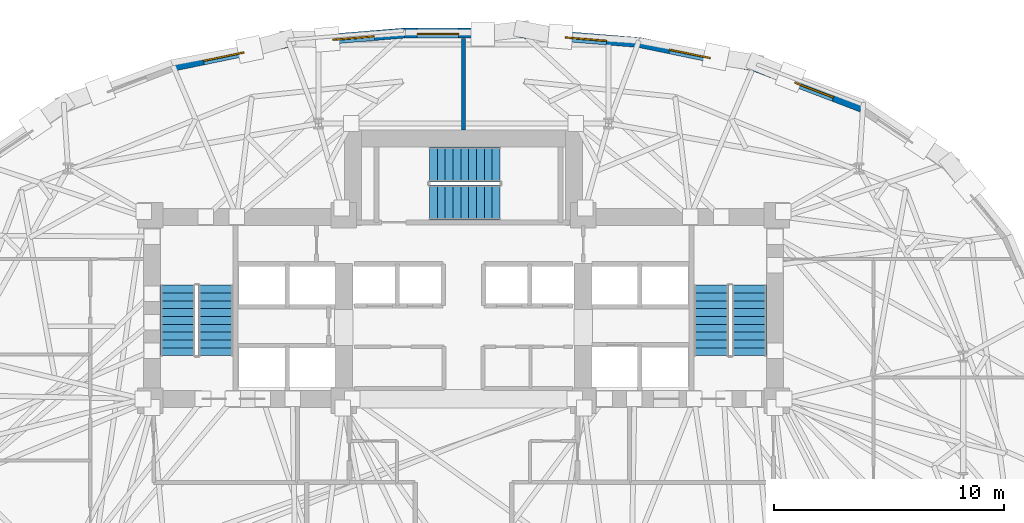
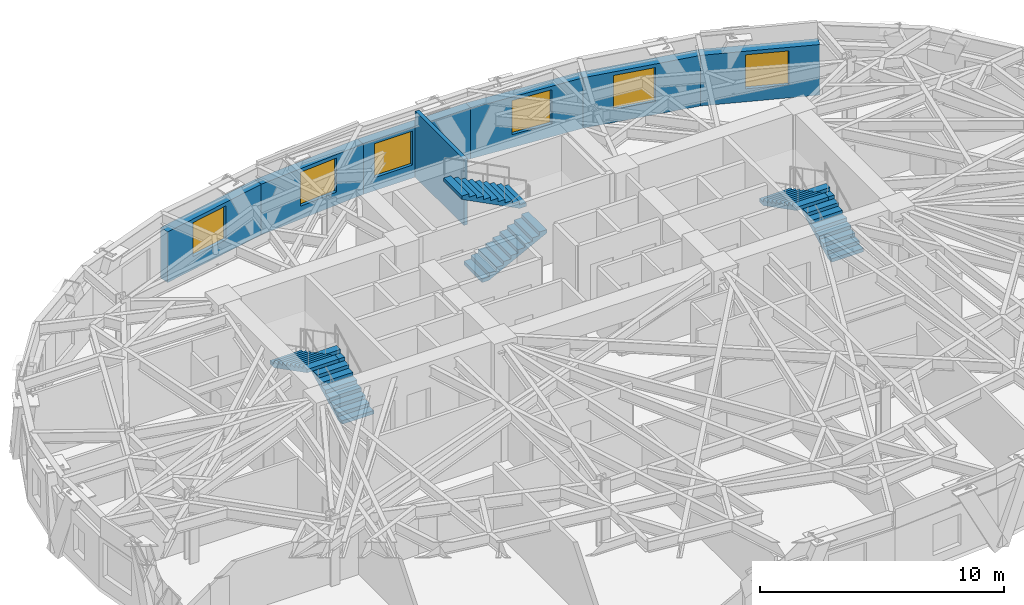
# One storey, part 10 of 14: 7 walls, 6 stair flights, 6 windows, 6 openings, 3 elements without a shape of their own.
"""IFC4 building model written with IfcOpenShell, lengths in metres."""

from ifc_helpers import new_model, si_unit, direction, frame, frame_2d, origin, place, context, subcontext, project, spatial, polyline, rectangle, outline, extrude, material, layer, layer_set, type_object, element, fill, aggregate, save


model = new_model("IFC4")

# Units and contexts
model_context = context("Model", 3, precision=1e-05, world=origin(), true_north=direction((0.0, 1.0)))
body_context = subcontext(model_context, "Body", "Model", "MODEL_VIEW")
ifc_project = project(units=[si_unit("LENGTHUNIT", "METRE"), si_unit("AREAUNIT", "SQUARE_METRE"), si_unit("VOLUMEUNIT", "CUBIC_METRE"), si_unit("PLANEANGLEUNIT", "RADIAN"), si_unit("MASSUNIT", "GRAM", prefix="KILO")], contexts=[model_context])

# Site, building, storey
site_placement = place(None, origin())
site = spatial("IfcSite", under=ifc_project, at=site_placement, CompositionType="ELEMENT")
building_placement = place(site_placement, origin())
building = spatial("IfcBuilding", under=site, at=building_placement, Name="Keldmark Tower", CompositionType="ELEMENT")
storey_placement = place(building_placement, frame((0.0, 0.0, 124.60009765625)))
storey = spatial("IfcBuildingStorey", under=building, at=storey_placement, Name="L33", CompositionType="ELEMENT", Elevation=124.60009765625)

# Wall
ifc_material_1 = material(Name="STC-58 Insulated Tenant Demising Gypsum Partition", Category="gypsum")
ifc_layer_1 = layer(ifc_material_1, 0.175048828125)
ifc_layer_set_1 = layer_set([ifc_layer_1], Name="STC-58 Insulated Tenant Demising Gypsum Partition")
wall_type_1 = type_object("IfcWallType", Name="Demising Suite Partition 175 mm", PredefinedType="PARTITIONING", material=ifc_layer_set_1)
wall_1_placement = place(storey_placement, frame((0.0, 13.14990234375, 0.0), z_axis=(0.0, 0.0, 1.0), x_axis=(0.0, 1.0, 0.0)))
element("IfcWall", 1, at=wall_1_placement, inside=storey, type_object=wall_type_1, Name="L33 Demising Suite Partition 175 mm N-MID-DIV", PredefinedType="PARTITIONING", context=body_context, shape_type="SweptSolid", body=[
    extrude(rectangle(XDim=3.979248046875, YDim=0.175048828125, at=frame_2d((1.98974609375, 0.0))), origin(), (0.0, 0.0, 1.0), 3.309814453125),
])

# Wall, opening, window
ifc_material_2 = material(Name="Ironspot Manganese Brick and Kasota Buff Limestone Spandrel Assembly", Category="masonry")
ifc_layer_2 = layer(ifc_material_2, 0.43994140625)
ifc_layer_set_2 = layer_set([ifc_layer_2], Name="Ironspot Manganese Brick and Kasota Buff Limestone Spandrel Assembly")
wall_type_2 = type_object("IfcWallType", Name="Tower Brick Pier and Spandrel Wall 440 mm", PredefinedType="STANDARD", material=ifc_layer_set_2)
wall_2_placement = place(storey_placement, frame((12.6318359375, 15.917236328125, 0.0), z_axis=(0.0, 0.0, 1.0), x_axis=(0.933853964101, -0.357654545243, 0.0)))
wall_2 = element("IfcWall", 2, at=wall_2_placement, inside=storey, type_object=wall_type_2, Name="L33 Exterior Brick and Spandrel Wall 05", PredefinedType="STANDARD", context=body_context, shape_type="SweptSolid", body=[
    extrude(rectangle(XDim=4.97900390625, YDim=0.43994140625, at=frame_2d((2.489501953125, 0.0))), origin(), (0.0, 0.0, 1.0), 2.52783203125),
])
opening_1_placement = place(wall_2_placement, frame((1.88720703125, 0.0, 0.64990234375)))
opening_1 = element("IfcOpeningElement", 3, at=opening_1_placement, cuts=wall_2, Name="Opening W-02", PredefinedType="OPENING", context=body_context, shape_type="SweptSolid", body=[
    extrude(rectangle(XDim=1.800048828125, YDim=1.699951171875, at=frame_2d((0.89990234375, 0.85009765625))), frame((0.0, 0.22998046875, 0.0), z_axis=(0.0, -1.0, 0.0), x_axis=(1.0, 0.0, 0.0)), (0.0, 0.0, 1.0), 0.4599609375),
])
ifc_material_3 = material(Name="Thermally Broken Anodized Aluminum and Triple Low-E Argon Glazing", Category="aluminium")
window_type = type_object("IfcWindowType", Name="Office Deep-Set Triple Window 1800x1700", PartitioningType="TRIPLE_PANEL_VERTICAL", PredefinedType="WINDOW", material=ifc_material_3)
window_1_placement = place(opening_1_placement, origin())
window_1 = element("IfcWindow", 4, at=window_1_placement, inside=storey, type_object=window_type, Name="L33 Deep-Set Window 05", OverallHeight=1.699951171875, OverallWidth=1.800048828125, PartitioningType="SINGLE_PANEL", PredefinedType="WINDOW", context=body_context, shape_type="SweptSolid", body=[
    extrude(rectangle(XDim=1.800048828125, YDim=1.699951171875, at=frame_2d((0.89990234375, 0.85009765625))), frame((0.0, -0.010009765625, 0.0), z_axis=(0.0, -1.0, 0.0), x_axis=(1.0, 0.0, 0.0)), (0.0, 0.0, 1.0), 0.06005859375),
])
fill(opening_1, window_1)

wall_3_placement = place(storey_placement, frame((7.634033203125, 16.9462890625, 0.0), z_axis=(0.0, 0.0, 1.0), x_axis=(0.979339014215, -0.202225357552, 0.0)))
wall_3 = element("IfcWall", 5, at=wall_3_placement, inside=storey, type_object=wall_type_2, Name="L33 Exterior Brick and Spandrel Wall 06", PredefinedType="STANDARD", context=body_context, shape_type="SweptSolid", body=[
    extrude(rectangle(XDim=5.13818359375, YDim=0.43994140625, at=frame_2d((2.569091796875, 0.0))), origin(), (0.0, 0.0, 1.0), 2.52783203125),
])
opening_2_placement = place(wall_3_placement, frame((1.345458984375, 0.0, 0.64990234375)))
opening_2 = element("IfcOpeningElement", 6, at=opening_2_placement, cuts=wall_3, Name="Opening W-02", PredefinedType="OPENING", context=body_context, shape_type="SweptSolid", body=[
    extrude(rectangle(XDim=1.800048828125, YDim=1.699951171875, at=frame_2d((0.89990234375, 0.85009765625))), frame((0.0, 0.22998046875, 0.0), z_axis=(0.0, -1.0, 0.0), x_axis=(1.0, 0.0, 0.0)), (0.0, 0.0, 1.0), 0.4599609375),
])
window_2_placement = place(opening_2_placement, origin())
window_2 = element("IfcWindow", 7, at=window_2_placement, inside=storey, type_object=window_type, Name="L33 Deep-Set Window 06", OverallHeight=1.699951171875, OverallWidth=1.800048828125, PartitioningType="SINGLE_PANEL", PredefinedType="WINDOW", context=body_context, shape_type="SweptSolid", body=[
    extrude(rectangle(XDim=1.800048828125, YDim=1.699951171875, at=frame_2d((0.89990234375, 0.85009765625))), frame((0.0, -0.010009765625, 0.0), z_axis=(0.0, -1.0, 0.0), x_axis=(1.0, 0.0, 0.0)), (0.0, 0.0, 1.0), 0.06005859375),
])
fill(opening_2, window_2)

wall_4_placement = place(storey_placement, frame((2.53564453125, 17.35791015625, 0.0), z_axis=(0.0, 0.0, 1.0), x_axis=(0.996733078328, -0.080766147401, 0.0)))
wall_4 = element("IfcWall", 8, at=wall_4_placement, inside=storey, type_object=wall_type_2, Name="L33 Exterior Brick and Spandrel Wall 07", PredefinedType="STANDARD", context=body_context, shape_type="SweptSolid", body=[
    extrude(rectangle(XDim=5.141845703125, YDim=0.43994140625, at=frame_2d((2.57080078125, 0.0))), origin(), (0.0, 0.0, 1.0), 2.52783203125),
])
opening_3_placement = place(wall_4_placement, frame((1.895263671875, 0.0, 0.64990234375)))
opening_3 = element("IfcOpeningElement", 9, at=opening_3_placement, cuts=wall_4, Name="Opening W-02", PredefinedType="OPENING", context=body_context, shape_type="SweptSolid", body=[
    extrude(rectangle(XDim=1.800048828125, YDim=1.699951171875, at=frame_2d((0.89990234375, 0.85009765625))), frame((0.0, 0.22998046875, 0.0), z_axis=(0.0, -1.0, 0.0), x_axis=(1.0, 0.0, 0.0)), (0.0, 0.0, 1.0), 0.4599609375),
])
window_3_placement = place(opening_3_placement, origin())
window_3 = element("IfcWindow", 10, at=window_3_placement, inside=storey, type_object=window_type, Name="L33 Deep-Set Window 07", OverallHeight=1.699951171875, OverallWidth=1.800048828125, PartitioningType="SINGLE_PANEL", PredefinedType="WINDOW", context=body_context, shape_type="SweptSolid", body=[
    extrude(rectangle(XDim=1.800048828125, YDim=1.699951171875, at=frame_2d((0.89990234375, 0.85009765625))), frame((0.0, -0.010009765625, 0.0), z_axis=(0.0, -1.0, 0.0), x_axis=(1.0, 0.0, 0.0)), (0.0, 0.0, 1.0), 0.06005859375),
])
fill(opening_3, window_3)

wall_5_placement = place(storey_placement, frame((-2.553466796875, 17.357177734375, 0.0), z_axis=(0.0, 0.0, 1.0), x_axis=(1.0, 0.0, 0.0)))
wall_5 = element("IfcWall", 11, at=wall_5_placement, inside=storey, type_object=wall_type_2, Name="L33 Exterior Brick and Spandrel Wall 08", PredefinedType="STANDARD", context=body_context, shape_type="SweptSolid", body=[
    extrude(rectangle(XDim=5.10693359375, YDim=0.43994140625, at=frame_2d((2.553466796875, 0.0))), origin(), (0.0, 0.0, 1.0), 2.52783203125),
])
opening_4_placement = place(wall_5_placement, frame((0.544921875, 0.0, 0.64990234375)))
opening_4 = element("IfcOpeningElement", 12, at=opening_4_placement, cuts=wall_5, Name="Opening W-02", PredefinedType="OPENING", context=body_context, shape_type="SweptSolid", body=[
    extrude(rectangle(XDim=1.800048828125, YDim=1.699951171875, at=frame_2d((0.89990234375, 0.85009765625))), frame((0.0, 0.22998046875, 0.0), z_axis=(0.0, -1.0, 0.0), x_axis=(1.0, 0.0, 0.0)), (0.0, 0.0, 1.0), 0.4599609375),
])
window_4_placement = place(opening_4_placement, origin())
window_4 = element("IfcWindow", 13, at=window_4_placement, inside=storey, type_object=window_type, Name="L33 Deep-Set Window 08", OverallHeight=1.699951171875, OverallWidth=1.800048828125, PartitioningType="SINGLE_PANEL", PredefinedType="WINDOW", context=body_context, shape_type="SweptSolid", body=[
    extrude(rectangle(XDim=1.800048828125, YDim=1.699951171875, at=frame_2d((0.89990234375, 0.85009765625))), frame((0.0, -0.010009765625, 0.0), z_axis=(0.0, -1.0, 0.0), x_axis=(1.0, 0.0, 0.0)), (0.0, 0.0, 1.0), 0.06005859375),
])
fill(opening_4, window_4)

wall_6_placement = place(storey_placement, frame((-7.66064453125, 16.942626953125, 0.0), z_axis=(0.0, 0.0, 1.0), x_axis=(0.996733078328, 0.080766147401, 0.0)))
wall_6 = element("IfcWall", 14, at=wall_6_placement, inside=storey, type_object=wall_type_2, Name="L33 Exterior Brick and Spandrel Wall 09", PredefinedType="STANDARD", context=body_context, shape_type="SweptSolid", body=[
    extrude(rectangle(XDim=5.141845703125, YDim=0.43994140625, at=frame_2d((2.57080078125, 0.0))), origin(), (0.0, 0.0, 1.0), 2.52783203125),
])
opening_5_placement = place(wall_6_placement, frame((1.9951171875, 0.0, 0.64990234375)))
opening_5 = element("IfcOpeningElement", 15, at=opening_5_placement, cuts=wall_6, Name="Opening W-02", PredefinedType="OPENING", context=body_context, shape_type="SweptSolid", body=[
    extrude(rectangle(XDim=1.800048828125, YDim=1.699951171875, at=frame_2d((0.89990234375, 0.85009765625))), frame((0.0, 0.22998046875, 0.0), z_axis=(0.0, -1.0, 0.0), x_axis=(1.0, 0.0, 0.0)), (0.0, 0.0, 1.0), 0.4599609375),
])
window_5_placement = place(opening_5_placement, origin())
window_5 = element("IfcWindow", 16, at=window_5_placement, inside=storey, type_object=window_type, Name="L33 Deep-Set Window 09", OverallHeight=1.699951171875, OverallWidth=1.800048828125, PartitioningType="SINGLE_PANEL", PredefinedType="WINDOW", context=body_context, shape_type="SweptSolid", body=[
    extrude(rectangle(XDim=1.800048828125, YDim=1.699951171875, at=frame_2d((0.89990234375, 0.85009765625))), frame((0.0, -0.010009765625, 0.0), z_axis=(0.0, -1.0, 0.0), x_axis=(1.0, 0.0, 0.0)), (0.0, 0.0, 1.0), 0.06005859375),
])
fill(opening_5, window_5)

wall_7_placement = place(storey_placement, frame((-12.666015625, 15.9072265625, 0.0), z_axis=(0.0, 0.0, 1.0), x_axis=(0.979339014215, 0.202225357552, 0.0)))
wall_7 = element("IfcWall", 17, at=wall_7_placement, inside=storey, type_object=wall_type_2, Name="L33 Exterior Brick and Spandrel Wall 10", PredefinedType="STANDARD", context=body_context, shape_type="SweptSolid", body=[
    extrude(rectangle(XDim=5.13818359375, YDim=0.43994140625, at=frame_2d((2.569091796875, 0.0))), origin(), (0.0, 0.0, 1.0), 2.52783203125),
])
opening_6_placement = place(wall_7_placement, frame((1.395263671875, 0.0, 0.64990234375)))
opening_6 = element("IfcOpeningElement", 18, at=opening_6_placement, cuts=wall_7, Name="Opening W-02", PredefinedType="OPENING", context=body_context, shape_type="SweptSolid", body=[
    extrude(rectangle(XDim=1.800048828125, YDim=1.699951171875, at=frame_2d((0.89990234375, 0.85009765625))), frame((0.0, 0.22998046875, 0.0), z_axis=(0.0, -1.0, 0.0), x_axis=(1.0, 0.0, 0.0)), (0.0, 0.0, 1.0), 0.4599609375),
])
window_6_placement = place(opening_6_placement, origin())
window_6 = element("IfcWindow", 19, at=window_6_placement, inside=storey, type_object=window_type, Name="L33 Deep-Set Window 10", OverallHeight=1.699951171875, OverallWidth=1.800048828125, PartitioningType="SINGLE_PANEL", PredefinedType="WINDOW", context=body_context, shape_type="SweptSolid", body=[
    extrude(rectangle(XDim=1.800048828125, YDim=1.699951171875, at=frame_2d((0.89990234375, 0.85009765625))), frame((0.0, -0.010009765625, 0.0), z_axis=(0.0, -1.0, 0.0), x_axis=(1.0, 0.0, 0.0)), (0.0, 0.0, 1.0), 0.06005859375),
])
fill(opening_6, window_6)

# Stair, stair flights
ifc_material_4 = material(Name="Concrete C40/50", Category="concrete")
stair_type = type_object("IfcStairType", Name="Precast Concrete Core Exit Stair", PredefinedType="HALF_TURN_STAIR", material=ifc_material_4)
stair_1_placement = place(storey_placement, origin())
stair_1 = element("IfcStair", 20, at=stair_1_placement, inside=storey, type_object=stair_type, Name="L33 Exit Stair ST1", PredefinedType="HALF_TURN_STAIR")
ifc_material_5 = material(Name="Concrete C40/50", Category="concrete")
stair_flight_type = type_object("IfcStairFlightType", Name="Precast Concrete Stair Flight 1500 mm", PredefinedType="STRAIGHT", material=ifc_material_5)
stair_flight_1_placement = place(storey_placement, frame((-10.75, 3.35009765625, 0.0), z_axis=(0.0, 0.0, 1.0), x_axis=(0.0, 1.0, 0.0)))
stair_flight_1 = element("IfcStairFlight", 21, at=stair_flight_1_placement, type_object=stair_flight_type, Name="ST1 flight 1", NumberOfRisers=10, NumberOfTreads=9, PredefinedType="STRAIGHT", RiserHeight=0.175, TreadLength=0.34, context=body_context, shape_type="SweptSolid", body=[
    extrude(outline(polyline([(0.0, 0.0), (0.0, 0.175048828125), (0.340087890625, 0.175048828125), (0.340087890625, 0.35009765625), (0.679931640625, 0.35009765625), (0.679931640625, 0.52490234375), (1.02001953125, 0.52490234375), (1.02001953125, 0.699951171875), (1.360107421875, 0.699951171875), (1.360107421875, 0.875), (1.699951171875, 0.875), (1.699951171875, 1.050048828125), (2.0400390625, 1.050048828125), (2.0400390625, 1.22509765625), (2.3798828125, 1.22509765625), (2.3798828125, 1.39990234375), (2.719970703125, 1.39990234375), (2.719970703125, 1.574951171875), (3.06005859375, 1.574951171875), (3.06005859375, 1.75), (3.06005859375, 1.406494140625), (0.32763671875, 0.0), (0.0, 0.0)])), frame((0.0, 0.75, 0.0), z_axis=(0.0, -1.0, 0.0), x_axis=(1.0, 0.0, 0.0)), (0.0, 0.0, 1.0), 1.5),
])
stair_flight_2_placement = place(storey_placement, frame((-12.39990234375, 6.409912109375, 1.75), z_axis=(0.0, 0.0, 1.0), x_axis=(0.0, -1.0, 0.0)))
stair_flight_2 = element("IfcStairFlight", 22, at=stair_flight_2_placement, type_object=stair_flight_type, Name="ST1 flight 2", NumberOfRisers=10, NumberOfTreads=9, PredefinedType="STRAIGHT", RiserHeight=0.175, TreadLength=0.34, context=body_context, shape_type="SweptSolid", body=[
    extrude(outline(polyline([(0.0, 0.0), (0.0, 0.175048828125), (0.340087890625, 0.175048828125), (0.340087890625, 0.35009765625), (0.679931640625, 0.35009765625), (0.679931640625, 0.52490234375), (1.02001953125, 0.52490234375), (1.02001953125, 0.699951171875), (1.360107421875, 0.699951171875), (1.360107421875, 0.875), (1.699951171875, 0.875), (1.699951171875, 1.050048828125), (2.0400390625, 1.050048828125), (2.0400390625, 1.22509765625), (2.3798828125, 1.22509765625), (2.3798828125, 1.39990234375), (2.719970703125, 1.39990234375), (2.719970703125, 1.574951171875), (3.06005859375, 1.574951171875), (3.06005859375, 1.75), (3.06005859375, 1.406494140625), (0.32763671875, 0.0), (0.0, 0.0)])), frame((0.0, 0.75, 0.0), z_axis=(0.0, -1.0, 0.0), x_axis=(1.0, 0.0, 0.0)), (0.0, 0.0, 1.0), 1.5),
])
aggregate(stair_1, [stair_flight_1, stair_flight_2])

stair_2_placement = place(storey_placement, origin())
stair_2 = element("IfcStair", 23, at=stair_2_placement, inside=storey, type_object=stair_type, Name="L33 Exit Stair ST2", PredefinedType="HALF_TURN_STAIR")
stair_flight_3_placement = place(storey_placement, frame((12.39990234375, 3.35009765625, 0.0), z_axis=(0.0, 0.0, 1.0), x_axis=(0.0, 1.0, 0.0)))
stair_flight_3 = element("IfcStairFlight", 24, at=stair_flight_3_placement, type_object=stair_flight_type, Name="ST2 flight 1", NumberOfRisers=10, NumberOfTreads=9, PredefinedType="STRAIGHT", RiserHeight=0.175, TreadLength=0.34, context=body_context, shape_type="SweptSolid", body=[
    extrude(outline(polyline([(0.0, 0.0), (0.0, 0.175048828125), (0.340087890625, 0.175048828125), (0.340087890625, 0.35009765625), (0.679931640625, 0.35009765625), (0.679931640625, 0.52490234375), (1.02001953125, 0.52490234375), (1.02001953125, 0.699951171875), (1.360107421875, 0.699951171875), (1.360107421875, 0.875), (1.699951171875, 0.875), (1.699951171875, 1.050048828125), (2.0400390625, 1.050048828125), (2.0400390625, 1.22509765625), (2.3798828125, 1.22509765625), (2.3798828125, 1.39990234375), (2.719970703125, 1.39990234375), (2.719970703125, 1.574951171875), (3.06005859375, 1.574951171875), (3.06005859375, 1.75), (3.06005859375, 1.406494140625), (0.32763671875, 0.0), (0.0, 0.0)])), frame((0.0, 0.75, 0.0), z_axis=(0.0, -1.0, 0.0), x_axis=(1.0, 0.0, 0.0)), (0.0, 0.0, 1.0), 1.5),
])
stair_flight_4_placement = place(storey_placement, frame((10.75, 6.409912109375, 1.75), z_axis=(0.0, 0.0, 1.0), x_axis=(0.0, -1.0, 0.0)))
stair_flight_4 = element("IfcStairFlight", 25, at=stair_flight_4_placement, type_object=stair_flight_type, Name="ST2 flight 2", NumberOfRisers=10, NumberOfTreads=9, PredefinedType="STRAIGHT", RiserHeight=0.175, TreadLength=0.34, context=body_context, shape_type="SweptSolid", body=[
    extrude(outline(polyline([(0.0, 0.0), (0.0, 0.175048828125), (0.340087890625, 0.175048828125), (0.340087890625, 0.35009765625), (0.679931640625, 0.35009765625), (0.679931640625, 0.52490234375), (1.02001953125, 0.52490234375), (1.02001953125, 0.699951171875), (1.360107421875, 0.699951171875), (1.360107421875, 0.875), (1.699951171875, 0.875), (1.699951171875, 1.050048828125), (2.0400390625, 1.050048828125), (2.0400390625, 1.22509765625), (2.3798828125, 1.22509765625), (2.3798828125, 1.39990234375), (2.719970703125, 1.39990234375), (2.719970703125, 1.574951171875), (3.06005859375, 1.574951171875), (3.06005859375, 1.75), (3.06005859375, 1.406494140625), (0.32763671875, 0.0), (0.0, 0.0)])), frame((0.0, 0.75, 0.0), z_axis=(0.0, -1.0, 0.0), x_axis=(1.0, 0.0, 0.0)), (0.0, 0.0, 1.0), 1.5),
])
aggregate(stair_2, [stair_flight_3, stair_flight_4])

stair_3_placement = place(storey_placement, origin())
stair_3 = element("IfcStair", 26, at=stair_3_placement, inside=storey, type_object=stair_type, Name="L33 Exit Stair ST3", PredefinedType="HALF_TURN_STAIR")
stair_flight_5_placement = place(storey_placement, frame((-1.47509765625, 10.0, 0.0), z_axis=(0.0, 0.0, 1.0), x_axis=(1.0, 0.0, 0.0)))
stair_flight_5 = element("IfcStairFlight", 27, at=stair_flight_5_placement, type_object=stair_flight_type, Name="ST3 flight 1", NumberOfRisers=10, NumberOfTreads=9, PredefinedType="STRAIGHT", RiserHeight=0.175, TreadLength=0.34, context=body_context, shape_type="SweptSolid", body=[
    extrude(outline(polyline([(0.0, 0.0), (0.0, 0.175048828125), (0.340087890625, 0.175048828125), (0.340087890625, 0.35009765625), (0.679931640625, 0.35009765625), (0.679931640625, 0.52490234375), (1.02001953125, 0.52490234375), (1.02001953125, 0.699951171875), (1.360107421875, 0.699951171875), (1.360107421875, 0.875), (1.699951171875, 0.875), (1.699951171875, 1.050048828125), (2.0400390625, 1.050048828125), (2.0400390625, 1.22509765625), (2.3798828125, 1.22509765625), (2.3798828125, 1.39990234375), (2.719970703125, 1.39990234375), (2.719970703125, 1.574951171875), (3.06005859375, 1.574951171875), (3.06005859375, 1.75), (3.06005859375, 1.406494140625), (0.32763671875, 0.0), (0.0, 0.0)])), frame((0.0, 0.75, 0.0), z_axis=(0.0, -1.0, 0.0), x_axis=(1.0, 0.0, 0.0)), (0.0, 0.0, 1.0), 1.5),
])
stair_flight_6_placement = place(storey_placement, frame((1.5849609375, 11.64990234375, 1.75), z_axis=(0.0, 0.0, 1.0), x_axis=(-1.0, 0.0, 0.0)))
stair_flight_6 = element("IfcStairFlight", 28, at=stair_flight_6_placement, type_object=stair_flight_type, Name="ST3 flight 2", NumberOfRisers=10, NumberOfTreads=9, PredefinedType="STRAIGHT", RiserHeight=0.175, TreadLength=0.34, context=body_context, shape_type="SweptSolid", body=[
    extrude(outline(polyline([(0.0, 0.0), (0.0, 0.175048828125), (0.340087890625, 0.175048828125), (0.340087890625, 0.35009765625), (0.679931640625, 0.35009765625), (0.679931640625, 0.52490234375), (1.02001953125, 0.52490234375), (1.02001953125, 0.699951171875), (1.360107421875, 0.699951171875), (1.360107421875, 0.875), (1.699951171875, 0.875), (1.699951171875, 1.050048828125), (2.0400390625, 1.050048828125), (2.0400390625, 1.22509765625), (2.3798828125, 1.22509765625), (2.3798828125, 1.39990234375), (2.719970703125, 1.39990234375), (2.719970703125, 1.574951171875), (3.06005859375, 1.574951171875), (3.06005859375, 1.75), (3.06005859375, 1.406494140625), (0.32763671875, 0.0), (0.0, 0.0)])), frame((0.0, 0.75, 0.0), z_axis=(0.0, -1.0, 0.0), x_axis=(1.0, 0.0, 0.0)), (0.0, 0.0, 1.0), 1.5),
])
aggregate(stair_3, [stair_flight_5, stair_flight_6])

save(model, "model.ifc")
